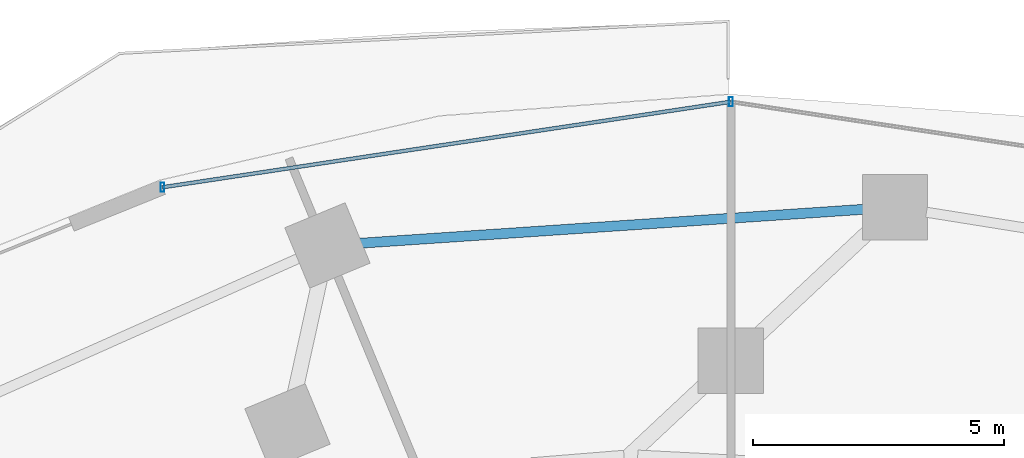
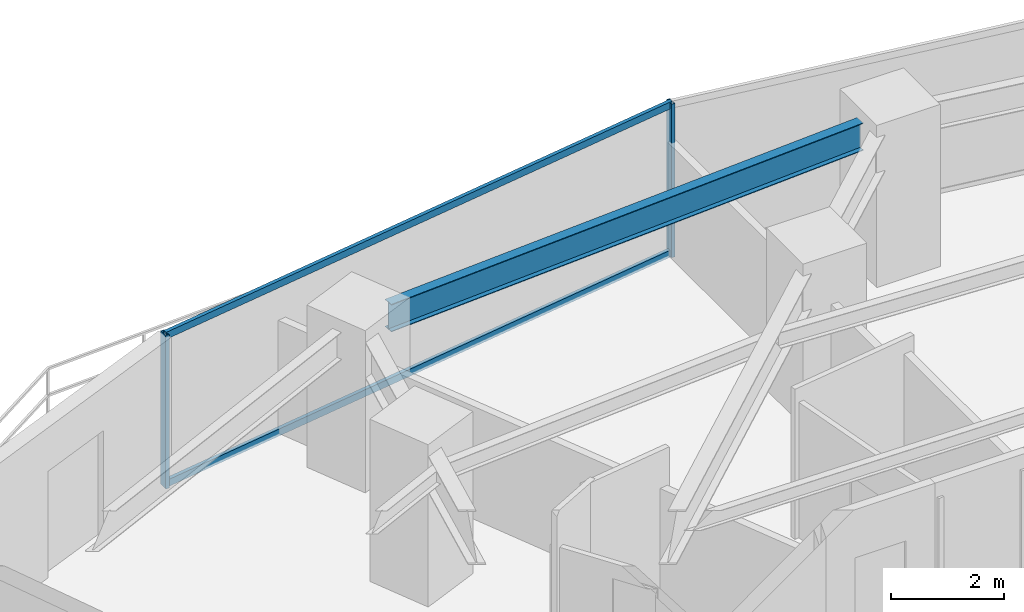
# One storey, part 21 of 34: 4 members, 1 beam, 1 element without a shape of its own.
"""IFC4 building model written with IfcOpenShell, lengths in metres."""

from ifc_helpers import new_model, si_unit, direction, frame, origin, origin_2d, place, context, subcontext, project, spatial, hollow_rectangle, i_section, extrude, material, material_profile, profile_set, type_object, element, aggregate, save


model = new_model("IFC4")

# Units and contexts
model_context = context("Model", 3, precision=1e-05, world=origin(), true_north=direction((0.0, 1.0)))
body_context = subcontext(model_context, "Body", "Model", "MODEL_VIEW")
ifc_project = project(units=[si_unit("LENGTHUNIT", "METRE"), si_unit("AREAUNIT", "SQUARE_METRE"), si_unit("VOLUMEUNIT", "CUBIC_METRE"), si_unit("PLANEANGLEUNIT", "RADIAN"), si_unit("MASSUNIT", "GRAM", prefix="KILO")], contexts=[model_context])

# Site, building, storey
site_placement = place(None, origin())
site = spatial("IfcSite", under=ifc_project, at=site_placement, CompositionType="ELEMENT")
building_placement = place(site_placement, origin())
building = spatial("IfcBuilding", under=site, at=building_placement, Name="Vorneva Point Tower", CompositionType="ELEMENT")
storey_placement = place(building_placement, frame((0.0, 0.0, 31.0)))
storey = spatial("IfcBuildingStorey", under=building, at=storey_placement, Name="L07", CompositionType="ELEMENT", Elevation=31.0)

# Beam
ifc_material_1 = material(Name="Steel S355", Category="steel")
ifc_material_profile_1 = material_profile(ifc_material_1, i_section(OverallWidth=0.198974609375, OverallDepth=0.595947265625, WebThickness=0.010009765625, FlangeThickness=0.014892578125, at=origin_2d()), Name="60B1")
ifc_profile_set_1 = profile_set([ifc_material_profile_1], Name="Steel S355")
beam_type = type_object("IfcBeamType", Name="BM-SPN-60B1", PredefinedType="SPANDREL", material=ifc_profile_set_1)
beam_placement = place(storey_placement, frame((40.631591796875, 46.209716796875, 2.94189453125), z_axis=(-0.997736943545, -0.067238318585, 0.0), x_axis=(0.067238318585, -0.997736943545, 0.0)))
element("IfcBeam", 1, at=beam_placement, inside=storey, type_object=beam_type, Name="L07 Perimeter Spandrel Ring Beam 05", PredefinedType="SPANDREL", context=body_context, shape_type="SweptSolid", body=[
    extrude(i_section(OverallWidth=0.198974609375, OverallDepth=0.595947265625, WebThickness=0.010009765625, FlangeThickness=0.014892578125, at=origin_2d()), origin(), (0.0, 0.0, 1.0), 10.046875),
])

# Curtain wall, members
ifc_material_2 = material(Name="Pale anodised aluminium", Category="aluminium")
curtain_wall_type = type_object("IfcCurtainWallType", Name="CW-HTL-SYS", PredefinedType="NOTDEFINED", material=ifc_material_2)
curtain_wall_placement = place(storey_placement, origin())
curtain_wall = element("IfcCurtainWall", 2, at=curtain_wall_placement, inside=storey, type_object=curtain_wall_type, Name="L07 Unitised Curtain Wall CW-L07-R02", PredefinedType="NOTDEFINED")
ifc_material_profile_2 = material_profile(ifc_material_2, hollow_rectangle(XDim=0.074951171875, YDim=0.179931640625, WallThickness=0.00390625, at=origin_2d()), Name="AL-MUL 180x75x4")
ifc_profile_set_2 = profile_set([ifc_material_profile_2], Name="Pale anodised aluminium")
member_type_1 = type_object("IfcMemberType", Name="CW-MUL-180", PredefinedType="MULLION", material=ifc_profile_set_2)
member_1_placement = place(storey_placement, frame((38.0, 48.35009765625, -0.0400390625), z_axis=(0.0, 0.0, 1.0), x_axis=(1.0, 0.0, 0.0)))
member_1 = element("IfcMember", 3, at=member_1_placement, type_object=member_type_1, Name="CW-L07-R02 Mullion 03", PredefinedType="MULLION", context=body_context, shape_type="SweptSolid", body=[
    extrude(hollow_rectangle(XDim=0.074951171875, YDim=0.179931640625, WallThickness=0.00390625, at=origin_2d()), origin(), (0.0, 0.0, 1.0), 3.31005859375),
])
member_2_placement = place(storey_placement, frame((26.691650390625, 46.648681640625, -0.0400390625), z_axis=(0.0, 0.0, 1.0), x_axis=(1.0, 0.0, 0.0)))
member_2 = element("IfcMember", 4, at=member_2_placement, type_object=member_type_1, Name="CW-L07-R02 Mullion 04", PredefinedType="MULLION", context=body_context, shape_type="SweptSolid", body=[
    extrude(hollow_rectangle(XDim=0.074951171875, YDim=0.179931640625, WallThickness=0.00390625, at=origin_2d()), origin(), (0.0, 0.0, 1.0), 3.31005859375),
])
ifc_material_profile_3 = material_profile(ifc_material_2, hollow_rectangle(XDim=0.074951171875, YDim=0.14990234375, WallThickness=0.00390625, at=origin_2d()), Name="AL-TRN 150x75x4")
ifc_profile_set_3 = profile_set([ifc_material_profile_3], Name="Pale anodised aluminium")
member_type_2 = type_object("IfcMemberType", Name="CW-TRN-150", PredefinedType="USERDEFINED", material=ifc_profile_set_3)
member_3_placement = place(storey_placement, frame((38.0, 48.35009765625, 0.02001953125), z_axis=(-0.988870014575, -0.148782036131, 0.0), x_axis=(0.148782036131, -0.988870014575, 0.0)))
member_3 = element("IfcMember", 5, at=member_3_placement, type_object=member_type_2, Name="CW-L07-R02 Transom 03.1", ObjectType="TRANSOM", PredefinedType="USERDEFINED", context=body_context, shape_type="SweptSolid", body=[
    extrude(hollow_rectangle(XDim=0.074951171875, YDim=0.14990234375, WallThickness=0.00390625, at=origin_2d()), origin(), (0.0, 0.0, 1.0), 11.435546875),
])
member_4_placement = place(storey_placement, frame((38.0, 48.35009765625, 3.219970703125), z_axis=(-0.988870014575, -0.148782036131, 0.0), x_axis=(0.148782036131, -0.988870014575, 0.0)))
member_4 = element("IfcMember", 6, at=member_4_placement, type_object=member_type_2, Name="CW-L07-R02 Transom 03.2", ObjectType="TRANSOM", PredefinedType="USERDEFINED", context=body_context, shape_type="SweptSolid", body=[
    extrude(hollow_rectangle(XDim=0.074951171875, YDim=0.14990234375, WallThickness=0.00390625, at=origin_2d()), origin(), (0.0, 0.0, 1.0), 11.435546875),
])
aggregate(curtain_wall, [member_1, member_2, member_3, member_4])

save(model, "model.ifc")
